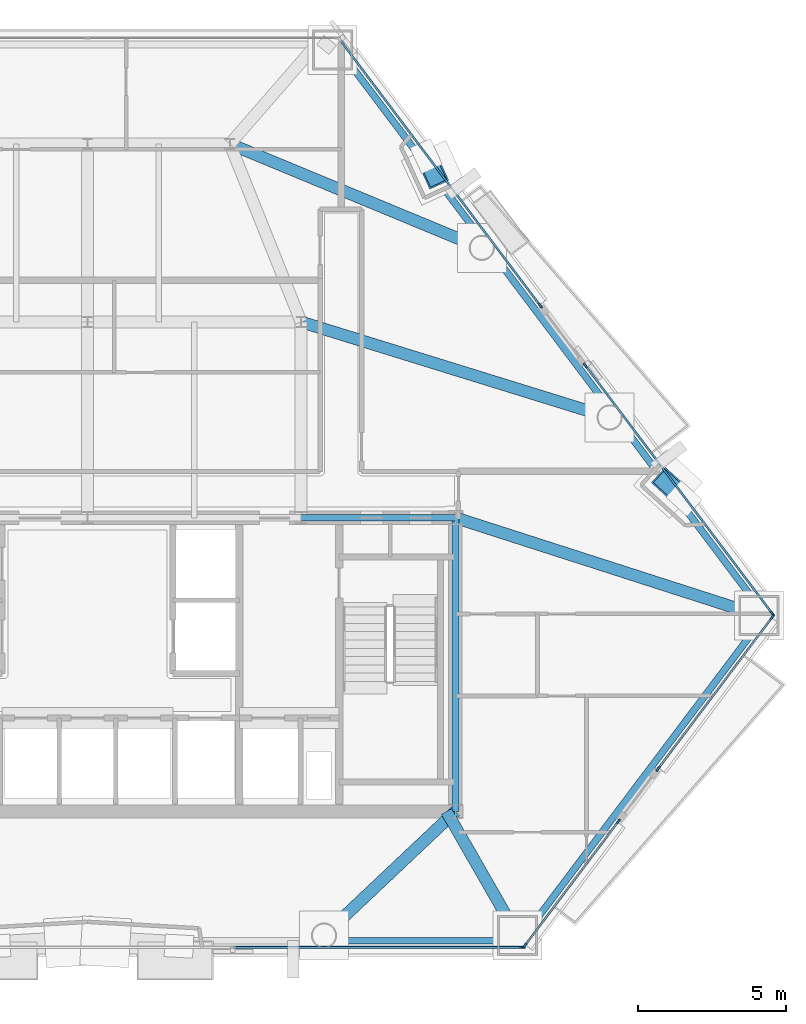
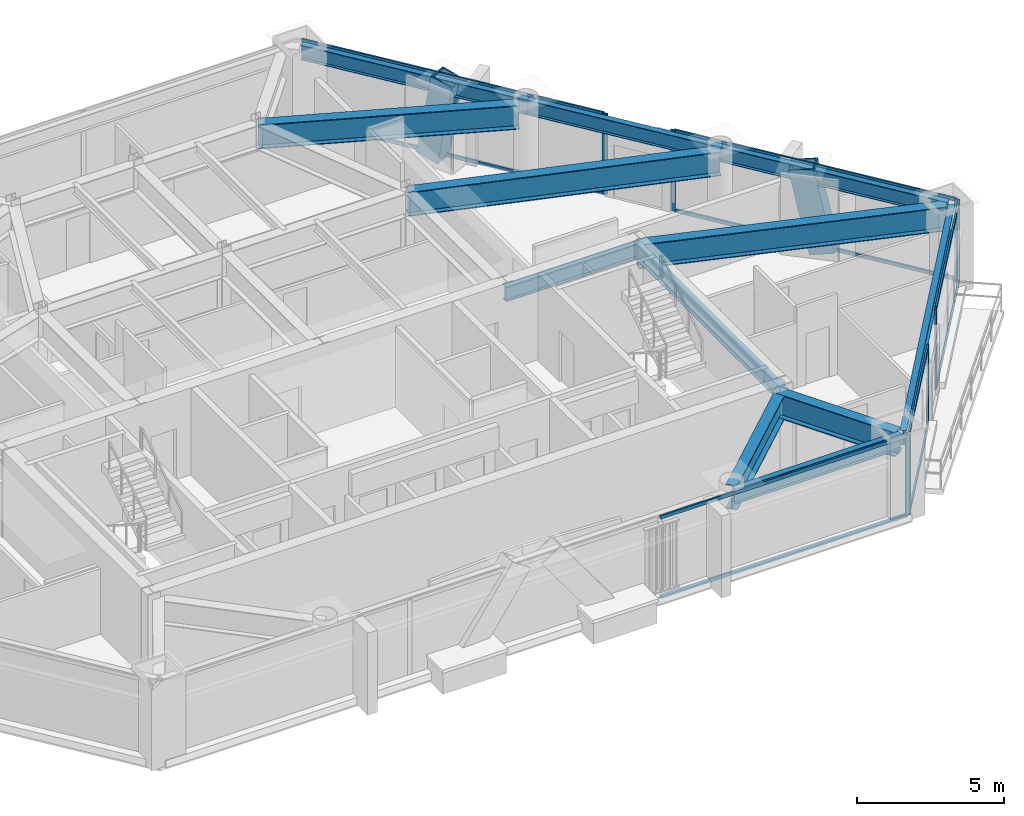
# One storey, part 4 of 11: 20 members, 12 beams, 5 elements without a shape of their own.
"""IFC4 building model written with IfcOpenShell, lengths in metres."""

from ifc_helpers import new_model, si_unit, direction, frame, origin, origin_2d, place, context, subcontext, project, spatial, rectangle, hollow_rectangle, i_section, extrude, material, layer, layer_set, material_profile, profile_set, type_object, element, aggregate, save


model = new_model("IFC4")

# Units and contexts
model_context = context("Model", 3, precision=1e-05, world=origin(), true_north=direction((0.0, 1.0)))
body_context = subcontext(model_context, "Body", "Model", "MODEL_VIEW")
ifc_project = project(units=[si_unit("LENGTHUNIT", "METRE"), si_unit("AREAUNIT", "SQUARE_METRE"), si_unit("VOLUMEUNIT", "CUBIC_METRE"), si_unit("PLANEANGLEUNIT", "RADIAN"), si_unit("MASSUNIT", "GRAM", prefix="KILO")], contexts=[model_context])

# Site, building, storey
site_placement = place(None, origin())
site = spatial("IfcSite", under=ifc_project, at=site_placement, CompositionType="ELEMENT")
building_placement = place(site_placement, origin())
building = spatial("IfcBuilding", under=site, at=building_placement, Name="Talgorran Terracotta Tower", CompositionType="ELEMENT")
storey_placement = place(building_placement, frame((0.0, 0.0, 35.10009765625)))
storey = spatial("IfcBuildingStorey", under=building, at=storey_placement, Name="L08", CompositionType="ELEMENT", Elevation=35.10009765625)

# Beams
ifc_material_1 = material(Name="Steel Grade 350 (350L0)", Category="steel")
ifc_material_profile_1 = material_profile(ifc_material_1, i_section(OverallWidth=0.39990234375, OverallDepth=1.0, WebThickness=0.01611328125, FlangeThickness=0.031005859375, at=origin_2d()), Name="1000WB296")
ifc_profile_set_1 = profile_set([ifc_material_profile_1], Name="Steel Grade 350 (350L0)")
beam_type_1 = type_object("IfcBeamType", Name="BM_1000WB296", PredefinedType="BEAM", material=ifc_profile_set_1)
beam_1_placement = place(storey_placement, frame((12.39990234375, -14.10009765625, 2.849853515625), z_axis=(-0.727124342691, -0.686505783126, 0.0), x_axis=(0.686505783126, -0.727124342691, 0.0)))
element("IfcBeam", 1, at=beam_1_placement, inside=storey, type_object=beam_type_1, Name="L08 South-East Core Tie Beam", PredefinedType="BEAM", context=body_context, shape_type="SweptSolid", body=[
    extrude(i_section(OverallWidth=0.39990234375, OverallDepth=1.0, WebThickness=0.01611328125, FlangeThickness=0.031005859375, at=origin_2d()), origin(), (0.0, 0.0, 1.0), 6.088623046875),
])
beam_2_placement = place(storey_placement, frame((14.495849609375, -18.280029296875, 2.849853515625), z_axis=(-0.497268168381, 0.867596892984, 0.0), x_axis=(-0.867596892984, -0.497268168381, 0.0)))
element("IfcBeam", 2, at=beam_2_placement, inside=storey, type_object=beam_type_1, Name="L08 Perimeter Step Girder 5", PredefinedType="BEAM", context=body_context, shape_type="SweptSolid", body=[
    extrude(i_section(OverallWidth=0.39990234375, OverallDepth=1.0, WebThickness=0.01611328125, FlangeThickness=0.031005859375, at=origin_2d()), origin(), (0.0, 0.0, 1.0), 4.81787109375),
])
beam_3_placement = place(storey_placement, frame((7.199951171875, 2.39990234375, 2.849853515625), z_axis=(0.955282572472, -0.295694448259, 0.0), x_axis=(0.295694448259, 0.955282572472, 0.0)))
element("IfcBeam", 3, at=beam_3_placement, inside=storey, type_object=beam_type_1, Name="L08 Floor Girder G07", PredefinedType="BEAM", context=body_context, shape_type="SweptSolid", body=[
    extrude(i_section(OverallWidth=0.39990234375, OverallDepth=1.0, WebThickness=0.01611328125, FlangeThickness=0.031005859375, at=origin_2d()), origin(), (0.0, 0.0, 1.0), 10.88623046875),
])
beam_4_placement = place(storey_placement, frame((4.800048828125, 8.39990234375, 2.849853515625), z_axis=(0.923897446569, -0.382640181141, 0.0), x_axis=(0.382640181141, 0.923897446569, 0.0)))
element("IfcBeam", 4, at=beam_4_placement, inside=storey, type_object=beam_type_1, Name="L08 Floor Girder G14", PredefinedType="BEAM", context=body_context, shape_type="SweptSolid", body=[
    extrude(i_section(OverallWidth=0.39990234375, OverallDepth=1.0, WebThickness=0.01611328125, FlangeThickness=0.031005859375, at=origin_2d()), origin(), (0.0, 0.0, 1.0), 8.947265625),
])
beam_5_placement = place(storey_placement, frame((12.39990234375, -4.199951171875, 2.849853515625), z_axis=(0.951935828117, -0.306297533694, 0.0), x_axis=(0.306297533694, 0.951935828117, 0.0)))
element("IfcBeam", 5, at=beam_5_placement, inside=storey, type_object=beam_type_1, Name="L08 Floor Girder G18", PredefinedType="BEAM", context=body_context, shape_type="SweptSolid", body=[
    extrude(i_section(OverallWidth=0.39990234375, OverallDepth=1.0, WebThickness=0.01611328125, FlangeThickness=0.031005859375, at=origin_2d()), origin(), (0.0, 0.0, 1.0), 10.742919921875),
])
ifc_material_2 = material(Name="Steel S355 (300PLUS)", Category="steel")
ifc_material_profile_2 = material_profile(ifc_material_2, i_section(OverallWidth=0.22900390625, OverallDepth=0.611572265625, WebThickness=0.011962890625, FlangeThickness=0.01953125, at=origin_2d()), Name="610UB125")
ifc_profile_set_2 = profile_set([ifc_material_profile_2], Name="Steel S355 (300PLUS)")
beam_type_2 = type_object("IfcBeamType", Name="BM_SP_610UB125", PredefinedType="SPANDREL", material=ifc_profile_set_2)
beam_6_placement = place(storey_placement, frame((7.97265625, -18.4599609375, 3.044189453125), z_axis=(1.0, 0.0, 0.0), x_axis=(0.0, 1.0, 0.0)))
element("IfcBeam", 6, at=beam_6_placement, inside=storey, type_object=beam_type_2, Name="L08 Perimeter Spandrel Beam FC2-MC3", PredefinedType="SPANDREL", context=body_context, shape_type="SweptSolid", body=[
    extrude(i_section(OverallWidth=0.22900390625, OverallDepth=0.611572265625, WebThickness=0.011962890625, FlangeThickness=0.01953125, at=origin_2d()), origin(), (0.0, 0.0, 1.0), 6.523193359375),
])
beam_7_placement = place(storey_placement, frame((14.6396484375, -18.38818359375, 3.044189453125), z_axis=(0.601820005964, 0.798631755205, 0.0), x_axis=(-0.798631755205, 0.601820005964, 0.0)))
element("IfcBeam", 7, at=beam_7_placement, inside=storey, type_object=beam_type_2, Name="L08 Perimeter Spandrel Beam MC3-MC4", PredefinedType="SPANDREL", context=body_context, shape_type="SweptSolid", body=[
    extrude(i_section(OverallWidth=0.22900390625, OverallDepth=0.611572265625, WebThickness=0.011962890625, FlangeThickness=0.01953125, at=origin_2d()), origin(), (0.0, 0.0, 1.0), 13.510009765625),
])
beam_8_placement = place(storey_placement, frame((22.770263671875, -7.382080078125, 3.044189453125), z_axis=(-0.601803503312, 0.798644190739, 0.0), x_axis=(-0.798644190739, -0.601803503312, 0.0)))
element("IfcBeam", 8, at=beam_8_placement, inside=storey, type_object=beam_type_2, Name="L08 Perimeter Spandrel Beam MC4-FC3", PredefinedType="SPANDREL", context=body_context, shape_type="SweptSolid", body=[
    extrude(i_section(OverallWidth=0.22900390625, OverallDepth=0.611572265625, WebThickness=0.011962890625, FlangeThickness=0.01953125, at=origin_2d()), origin(), (0.0, 0.0, 1.0), 8.353271484375),
])
beam_9_placement = place(storey_placement, frame((17.7431640625, -0.710693359375, 3.044189453125), z_axis=(-0.601837001902, 0.798618947397, 0.0), x_axis=(-0.798618947397, -0.601837001902, 0.0)))
element("IfcBeam", 9, at=beam_9_placement, inside=storey, type_object=beam_type_2, Name="L08 Perimeter Spandrel Beam FC3-FC4", PredefinedType="SPANDREL", context=body_context, shape_type="SweptSolid", body=[
    extrude(i_section(OverallWidth=0.22900390625, OverallDepth=0.611572265625, WebThickness=0.011962890625, FlangeThickness=0.01953125, at=origin_2d()), origin(), (0.0, 0.0, 1.0), 7.159912109375),
])
beam_10_placement = place(storey_placement, frame((13.43408203125, 5.00732421875, 3.044189453125), z_axis=(-0.601803503312, 0.798644190739, 0.0), x_axis=(-0.798644190739, -0.601803503312, 0.0)))
element("IfcBeam", 10, at=beam_10_placement, inside=storey, type_object=beam_type_2, Name="L08 Perimeter Spandrel Beam FC4-MC5", PredefinedType="SPANDREL", context=body_context, shape_type="SweptSolid", body=[
    extrude(i_section(OverallWidth=0.22900390625, OverallDepth=0.611572265625, WebThickness=0.011962890625, FlangeThickness=0.01953125, at=origin_2d()), origin(), (0.0, 0.0, 1.0), 8.353271484375),
])
beam_11_placement = place(storey_placement, frame((12.39990234375, -14.10009765625, 3.044189453125), z_axis=(0.0, 1.0, 0.0), x_axis=(-1.0, 0.0, 0.0)))
element("IfcBeam", 11, at=beam_11_placement, inside=storey, type_object=beam_type_2, Name="L08 Core Frame Beam CFE", PredefinedType="SPANDREL", context=body_context, shape_type="SweptSolid", body=[
    extrude(i_section(OverallWidth=0.22900390625, OverallDepth=0.611572265625, WebThickness=0.011962890625, FlangeThickness=0.01953125, at=origin_2d()), origin(), (0.0, 0.0, 1.0), 9.900146484375),
])
beam_12_placement = place(storey_placement, frame((7.199951171875, -4.199951171875, 3.044189453125), z_axis=(1.0, 0.0, 0.0), x_axis=(0.0, 1.0, 0.0)))
element("IfcBeam", 12, at=beam_12_placement, inside=storey, type_object=beam_type_2, Name="L08 Core Frame Beam CFN4", PredefinedType="SPANDREL", context=body_context, shape_type="SweptSolid", body=[
    extrude(i_section(OverallWidth=0.22900390625, OverallDepth=0.611572265625, WebThickness=0.011962890625, FlangeThickness=0.01953125, at=origin_2d()), origin(), (0.0, 0.0, 1.0), 5.199951171875),
])

# Members
ifc_material_profile_3 = material_profile(ifc_material_1, hollow_rectangle(XDim=0.699951171875, YDim=0.89990234375, WallThickness=0.050048828125, at=origin_2d()), Name="WBOX900X700X50")
ifc_profile_set_3 = profile_set([ifc_material_profile_3], Name="Steel Grade 350 (350L0)")
member_type_1 = type_object("IfcMemberType", Name="MB_MEGA_900", PredefinedType="BRACE", material=ifc_profile_set_3)
member_1_placement = place(storey_placement, frame((20.1064453125, -3.548095703125, -0.025146484375), z_axis=(-0.155410861235, 0.141933496575, 0.977600300102), x_axis=(-0.674364255073, -0.738398843092, 0.0)))
element("IfcMember", 13, at=member_1_placement, inside=storey, type_object=member_type_1, Name="L08 Exterior Face Mega-Brace MB-1 (NEL)", PredefinedType="BRACE", context=body_context, shape_type="SweptSolid", body=[
    extrude(hollow_rectangle(XDim=0.699951171875, YDim=0.89990234375, WallThickness=0.050048828125, at=origin_2d()), origin(), (0.0, 0.0, 1.0), 3.47802734375),
])
member_2_placement = place(storey_placement, frame((11.413330078125, 7.988037109375, -0.025146484375), z_axis=(0.074536179821, -0.162142685013, 0.983948224042), x_axis=(0.908595640558, 0.417676863089, 0.0)))
element("IfcMember", 14, at=member_2_placement, inside=storey, type_object=member_type_1, Name="L08 Exterior Face Mega-Brace MB-1 (NEU)", PredefinedType="BRACE", context=body_context, shape_type="SweptSolid", body=[
    extrude(hollow_rectangle(XDim=0.699951171875, YDim=0.89990234375, WallThickness=0.050048828125, at=origin_2d()), origin(), (0.0, 0.0, 1.0), 3.45556640625),
])

# Curtain wall, member
ifc_material_3 = material(Name="Unitised Low-E Double Glazing", Category="glass")
ifc_layer = layer(ifc_material_3, 0.199951171875, Name="CW_SYS2_RES_LOW")
ifc_layer_set = layer_set([ifc_layer], Name="Unitised Low-E Double Glazing")
curtain_wall_type = type_object("IfcCurtainWallType", Name="CW_SYS2_RES_LOW", PredefinedType="NOTDEFINED", material=ifc_layer_set)
curtain_wall_1_placement = place(storey_placement, origin())
curtain_wall_1 = element("IfcCurtainWall", 15, at=curtain_wall_1_placement, inside=storey, type_object=curtain_wall_type, Name="CW-L08-F1", PredefinedType="NOTDEFINED")
ifc_material_4 = material(Name="Architectural Aluminium 6063-T6", Category="aluminium")
ifc_material_profile_4 = material_profile(ifc_material_4, rectangle(XDim=0.06494140625, YDim=0.18505859375, at=origin_2d()), Name="CWM65X185")
ifc_profile_set_4 = profile_set([ifc_material_profile_4], Name="Architectural Aluminium 6063-T6")
member_type_2 = type_object("IfcMemberType", Name="MUL_65X185", PredefinedType="MULLION", material=ifc_profile_set_4)
member_3_placement = place(storey_placement, frame((14.662841796875, -18.679931640625, 0.0), z_axis=(0.0, 0.0, 1.0), x_axis=(0.0, 1.0, 0.0)))
member_3 = element("IfcMember", 16, at=member_3_placement, type_object=member_type_2, Name="CW-L08-1 mullion 4", PredefinedType="MULLION", context=body_context, shape_type="SweptSolid", body=[
    extrude(rectangle(XDim=0.06494140625, YDim=0.18505859375, at=origin_2d()), origin(), (0.0, 0.0, 1.0), 3.349853515625),
])

# Curtain wall, members
curtain_wall_2_placement = place(storey_placement, origin())
curtain_wall_2 = element("IfcCurtainWall", 17, at=curtain_wall_2_placement, inside=storey, type_object=curtain_wall_type, Name="CW-L08-F30", PredefinedType="NOTDEFINED")
member_4_placement = place(storey_placement, frame((14.739013671875, -18.6220703125, 0.0), z_axis=(0.0, 0.0, 1.0), x_axis=(-0.798642595168, 0.601805620764, 0.0)))
member_4 = element("IfcMember", 18, at=member_4_placement, type_object=member_type_2, Name="CW-L08-30 mullion 1", PredefinedType="MULLION", context=body_context, shape_type="SweptSolid", body=[
    extrude(rectangle(XDim=0.06494140625, YDim=0.18505859375, at=origin_2d()), origin(), (0.0, 0.0, 1.0), 3.349853515625),
])
member_5_placement = place(storey_placement, frame((17.8916015625, -14.4384765625, 0.0), z_axis=(0.0, 0.0, 1.0), x_axis=(-0.798642595168, 0.601805620764, 0.0)))
member_5 = element("IfcMember", 19, at=member_5_placement, type_object=member_type_2, Name="CW-L08-30 mullion 2", PredefinedType="MULLION", context=body_context, shape_type="SweptSolid", body=[
    extrude(rectangle(XDim=0.06494140625, YDim=0.18505859375, at=origin_2d()), origin(), (0.0, 0.0, 1.0), 3.349853515625),
])

curtain_wall_3_placement = place(storey_placement, origin())
curtain_wall_3 = element("IfcCurtainWall", 20, at=curtain_wall_3_placement, inside=storey, type_object=curtain_wall_type, Name="CW-L08-F31", PredefinedType="NOTDEFINED")
member_6_placement = place(storey_placement, frame((19.23046875, -12.66162109375, 0.0), z_axis=(0.0, 0.0, 1.0), x_axis=(-0.798639774185, 0.601809364408, 0.0)))
member_6 = element("IfcMember", 21, at=member_6_placement, type_object=member_type_2, Name="CW-L08-31 mullion 1", PredefinedType="MULLION", context=body_context, shape_type="SweptSolid", body=[
    extrude(rectangle(XDim=0.06494140625, YDim=0.18505859375, at=origin_2d()), origin(), (0.0, 0.0, 1.0), 3.349853515625),
])
member_7_placement = place(storey_placement, frame((23.083740234375, -7.54833984375, 0.0), z_axis=(0.0, 0.0, 1.0), x_axis=(-0.798639774185, 0.601809364408, 0.0)))
member_7 = element("IfcMember", 22, at=member_7_placement, type_object=member_type_2, Name="CW-L08-31 mullion 2", PredefinedType="MULLION", context=body_context, shape_type="SweptSolid", body=[
    extrude(rectangle(XDim=0.06494140625, YDim=0.18505859375, at=origin_2d()), origin(), (0.0, 0.0, 1.0), 3.349853515625),
])

curtain_wall_4_placement = place(storey_placement, origin())
curtain_wall_4 = element("IfcCurtainWall", 23, at=curtain_wall_4_placement, inside=storey, type_object=curtain_wall_type, Name="CW-L08-F40", PredefinedType="NOTDEFINED")
member_8_placement = place(storey_placement, frame((23.083740234375, -7.4326171875, 0.0), z_axis=(0.0, 0.0, 1.0), x_axis=(-0.798643331463, -0.601804643643, 0.0)))
member_8 = element("IfcMember", 24, at=member_8_placement, type_object=member_type_2, Name="CW-L08-40 mullion 1", PredefinedType="MULLION", context=body_context, shape_type="SweptSolid", body=[
    extrude(rectangle(XDim=0.06494140625, YDim=0.18505859375, at=origin_2d()), origin(), (0.0, 0.0, 1.0), 3.349853515625),
])
member_9_placement = place(storey_placement, frame((16.77880859375, 0.9345703125, 0.0), z_axis=(0.0, 0.0, 1.0), x_axis=(-0.798643331463, -0.601804643643, 0.0)))
member_9 = element("IfcMember", 25, at=member_9_placement, type_object=member_type_2, Name="CW-L08-40 mullion 2", PredefinedType="MULLION", context=body_context, shape_type="SweptSolid", body=[
    extrude(rectangle(XDim=0.06494140625, YDim=0.18505859375, at=origin_2d()), origin(), (0.0, 0.0, 1.0), 3.349853515625),
])

# Curtain wall, member
curtain_wall_5_placement = place(storey_placement, origin())
curtain_wall_5 = element("IfcCurtainWall", 26, at=curtain_wall_5_placement, inside=storey, type_object=curtain_wall_type, Name="CW-L08-F41", PredefinedType="NOTDEFINED")
member_10_placement = place(storey_placement, frame((15.259033203125, 2.951171875, 0.0), z_axis=(0.0, 0.0, 1.0), x_axis=(-0.798639090519, -0.601810271677, 0.0)))
member_10 = element("IfcMember", 27, at=member_10_placement, type_object=member_type_2, Name="CW-L08-41 mullion 1", PredefinedType="MULLION", context=body_context, shape_type="SweptSolid", body=[
    extrude(rectangle(XDim=0.06494140625, YDim=0.18505859375, at=origin_2d()), origin(), (0.0, 0.0, 1.0), 3.349853515625),
])

# Member
ifc_material_profile_5 = material_profile(ifc_material_4, rectangle(XDim=0.06494140625, YDim=0.14990234375, at=origin_2d()), Name="CWT65X150")
ifc_profile_set_5 = profile_set([ifc_material_profile_5], Name="Architectural Aluminium 6063-T6")
member_type_3 = type_object("IfcMemberType", Name="TRN_65X150", PredefinedType="USERDEFINED", material=ifc_profile_set_5)
member_11_placement = place(storey_placement, frame((4.930908203125, -18.679931640625, 0.032470703125), z_axis=(1.0, 0.0, 0.0), x_axis=(0.0, 1.0, 0.0)))
member_11 = element("IfcMember", 28, at=member_11_placement, type_object=member_type_3, Name="CW-L08-1 transom 3.1", ObjectType="TRANSOM", PredefinedType="USERDEFINED", context=body_context, shape_type="SweptSolid", body=[
    extrude(rectangle(XDim=0.06494140625, YDim=0.14990234375, at=origin_2d()), origin(), (0.0, 0.0, 1.0), 9.699462890625),
])

member_12_placement = place(storey_placement, frame((4.930908203125, -18.679931640625, 3.3173828125), z_axis=(1.0, 0.0, 0.0), x_axis=(0.0, 1.0, 0.0)))
member_12 = element("IfcMember", 29, at=member_12_placement, type_object=member_type_3, Name="CW-L08-1 transom 3.2", ObjectType="TRANSOM", PredefinedType="USERDEFINED", context=body_context, shape_type="SweptSolid", body=[
    extrude(rectangle(XDim=0.06494140625, YDim=0.14990234375, at=origin_2d()), origin(), (0.0, 0.0, 1.0), 9.699462890625),
])

aggregate(curtain_wall_1, [member_3, member_11, member_12])

member_13_placement = place(storey_placement, frame((14.758544921875, -18.59619140625, 0.032470703125), z_axis=(0.601833227551, 0.798621791723, 0.0), x_axis=(-0.798621791723, 0.601833227551, 0.0)))
member_13 = element("IfcMember", 30, at=member_13_placement, type_object=member_type_3, Name="CW-L08-30 transom 1.1", ObjectType="TRANSOM", PredefinedType="USERDEFINED", context=body_context, shape_type="SweptSolid", body=[
    extrude(rectangle(XDim=0.06494140625, YDim=0.14990234375, at=origin_2d()), origin(), (0.0, 0.0, 1.0), 5.17333984375),
])

member_14_placement = place(storey_placement, frame((14.758544921875, -18.59619140625, 3.3173828125), z_axis=(0.601833227551, 0.798621791723, 0.0), x_axis=(-0.798621791723, 0.601833227551, 0.0)))
member_14 = element("IfcMember", 31, at=member_14_placement, type_object=member_type_3, Name="CW-L08-30 transom 1.2", ObjectType="TRANSOM", PredefinedType="USERDEFINED", context=body_context, shape_type="SweptSolid", body=[
    extrude(rectangle(XDim=0.06494140625, YDim=0.14990234375, at=origin_2d()), origin(), (0.0, 0.0, 1.0), 5.17333984375),
])

aggregate(curtain_wall_2, [member_4, member_5, member_13, member_14])

member_15_placement = place(storey_placement, frame((19.25, -12.635498046875, 0.032470703125), z_axis=(0.601816767388, 0.798634195668, 0.0), x_axis=(-0.798634195668, 0.601816767388, 0.0)))
member_15 = element("IfcMember", 32, at=member_15_placement, type_object=member_type_3, Name="CW-L08-31 transom 1.1", ObjectType="TRANSOM", PredefinedType="USERDEFINED", context=body_context, shape_type="SweptSolid", body=[
    extrude(rectangle(XDim=0.06494140625, YDim=0.14990234375, at=origin_2d()), origin(), (0.0, 0.0, 1.0), 6.33740234375),
])

member_16_placement = place(storey_placement, frame((19.25, -12.635498046875, 3.3173828125), z_axis=(0.601816767388, 0.798634195668, 0.0), x_axis=(-0.798634195668, 0.601816767388, 0.0)))
member_16 = element("IfcMember", 33, at=member_16_placement, type_object=member_type_3, Name="CW-L08-31 transom 1.2", ObjectType="TRANSOM", PredefinedType="USERDEFINED", context=body_context, shape_type="SweptSolid", body=[
    extrude(rectangle(XDim=0.06494140625, YDim=0.14990234375, at=origin_2d()), origin(), (0.0, 0.0, 1.0), 6.33740234375),
])

aggregate(curtain_wall_3, [member_6, member_7, member_15, member_16])

member_17_placement = place(storey_placement, frame((23.06396484375, -7.406494140625, 0.032470703125), z_axis=(-0.601795618885, 0.798650131842, 0.0), x_axis=(-0.798650131842, -0.601795618885, 0.0)))
member_17 = element("IfcMember", 34, at=member_17_placement, type_object=member_type_3, Name="CW-L08-40 transom 1.1", ObjectType="TRANSOM", PredefinedType="USERDEFINED", context=body_context, shape_type="SweptSolid", body=[
    extrude(rectangle(XDim=0.06494140625, YDim=0.14990234375, at=origin_2d()), origin(), (0.0, 0.0, 1.0), 10.41162109375),
])

member_18_placement = place(storey_placement, frame((23.06396484375, -7.406494140625, 3.3173828125), z_axis=(-0.601795618885, 0.798650131842, 0.0), x_axis=(-0.798650131842, -0.601795618885, 0.0)))
member_18 = element("IfcMember", 35, at=member_18_placement, type_object=member_type_3, Name="CW-L08-40 transom 1.2", ObjectType="TRANSOM", PredefinedType="USERDEFINED", context=body_context, shape_type="SweptSolid", body=[
    extrude(rectangle(XDim=0.06494140625, YDim=0.14990234375, at=origin_2d()), origin(), (0.0, 0.0, 1.0), 10.41162109375),
])

aggregate(curtain_wall_4, [member_8, member_9, member_17, member_18])

member_19_placement = place(storey_placement, frame((15.239501953125, 2.97705078125, 0.032470703125), z_axis=(-0.601808770417, 0.798640221783, 0.0), x_axis=(-0.798640221783, -0.601808770417, 0.0)))
member_19 = element("IfcMember", 36, at=member_19_placement, type_object=member_type_3, Name="CW-L08-41 transom 1.1", ObjectType="TRANSOM", PredefinedType="USERDEFINED", context=body_context, shape_type="SweptSolid", body=[
    extrude(rectangle(XDim=0.06494140625, YDim=0.14990234375, at=origin_2d()), origin(), (0.0, 0.0, 1.0), 11.15576171875),
])

member_20_placement = place(storey_placement, frame((15.239501953125, 2.97705078125, 3.3173828125), z_axis=(-0.601808770417, 0.798640221783, 0.0), x_axis=(-0.798640221783, -0.601808770417, 0.0)))
member_20 = element("IfcMember", 37, at=member_20_placement, type_object=member_type_3, Name="CW-L08-41 transom 1.2", ObjectType="TRANSOM", PredefinedType="USERDEFINED", context=body_context, shape_type="SweptSolid", body=[
    extrude(rectangle(XDim=0.06494140625, YDim=0.14990234375, at=origin_2d()), origin(), (0.0, 0.0, 1.0), 11.15576171875),
])

aggregate(curtain_wall_5, [member_10, member_19, member_20])

save(model, "model.ifc")
